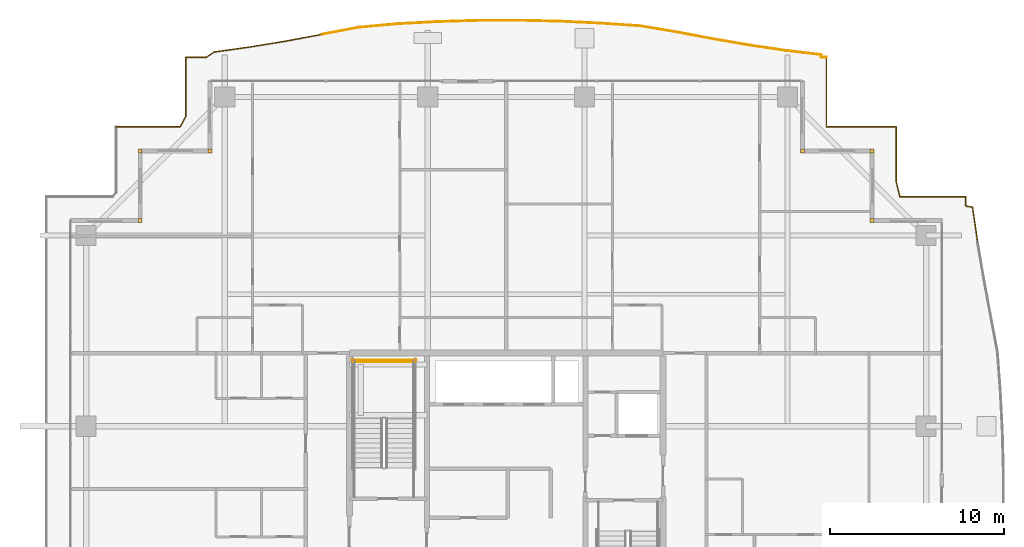
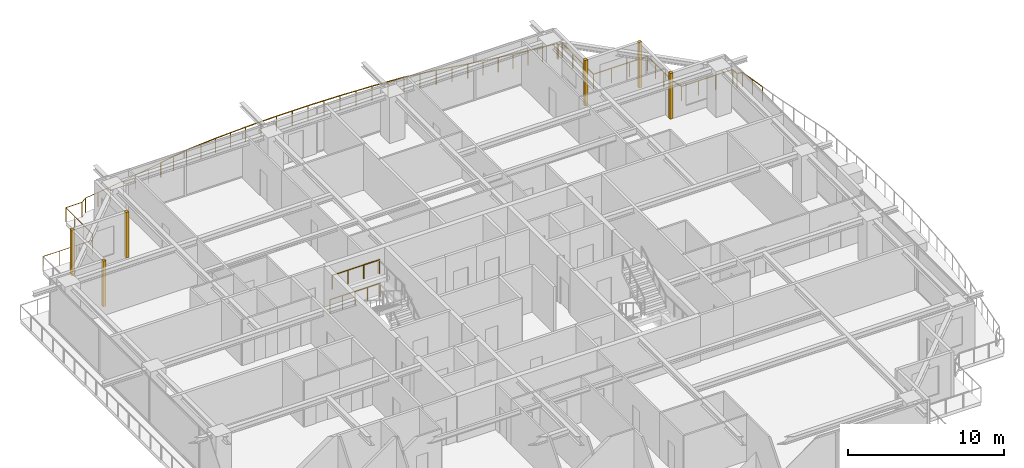
# One storey, part 37 of 37: 6 coverings, 6 railings.
"""IFC4 building model written with IfcOpenShell, lengths in metres."""

import ifcopenshell
import ifcopenshell.guid

model = None  # the IFC model being written
_history = None  # IfcOwnerHistory: only IFC2X3 demands one
_inside = {}  # id of a spatial element -> (the spatial element, [elements in it])
_under = {}  # id of a project, library or spatial element -> (it, [spatial elements below it])
_declared = {}  # id of a project -> (the project, [libraries it declares])
_typed = {}  # id of a type object -> (the type object, [elements of that type])
_made_of = {}  # id of a material, layer set ... -> (it, [elements and type objects made of it])


def new_model(schema):
    """Start an empty IFC model of exactly this schema.

    Asked for "IFC4X3", IfcOpenShell would pick the latest addendum, in which some entities
    have other attributes; the version numbers below select the first issue.
    IFC2X3 requires an IfcOwnerHistory on every rooted entity: one is made here for all.
    """
    global model, _history
    if schema == "IFC4X3":
        model = ifcopenshell.file(schema_version=(4, 3, 0, 0))
    else:
        model = ifcopenshell.file(schema=schema)
    _inside.clear()
    _under.clear()
    _declared.clear()
    _typed.clear()
    _made_of.clear()
    _history = None
    if model.schema == "IFC2X3":
        org = make("IfcOrganization", Name="unknown")
        user = make(
            "IfcPersonAndOrganization",
            ThePerson=make("IfcPerson", FamilyName="unknown"),
            TheOrganization=org,
        )
        app = make(
            "IfcApplication",
            ApplicationDeveloper=org,
            Version="unknown",
            ApplicationFullName="unknown",
            ApplicationIdentifier="unknown",
        )
        _history = make(
            "IfcOwnerHistory",
            OwningUser=user,
            OwningApplication=app,
            ChangeAction="ADDED",
            CreationDate=0,
        )
    return model


def make(cls, **values):
    """One entity of the class cls with the attributes given. An attribute that is None is left unset."""
    return model.create_entity(
        cls, **{name: value for name, value in values.items() if value is not None}
    )


def rooted(cls, **values):
    """An entity with a GlobalId (a new one), such as an element, a storey or a relation."""
    return make(cls, GlobalId=ifcopenshell.guid.new(), OwnerHistory=_history, **values)


def si_unit(unit_type, name, prefix=None):
    """IfcSIUnit, for example si_unit("LENGTHUNIT", "METRE", prefix="MILLI")."""
    return make("IfcSIUnit", UnitType=unit_type, Prefix=prefix, Name=name)


def assignment(units):
    """IfcUnitAssignment: the units of a project."""
    return None if units is None else make("IfcUnitAssignment", Units=units)


def point(xyz):
    """IfcCartesianPoint."""
    return None if xyz is None else make("IfcCartesianPoint", Coordinates=xyz)


def direction(xyz):
    """IfcDirection."""
    return None if xyz is None else make("IfcDirection", DirectionRatios=xyz)


def frame(location, z_axis=None, x_axis=None):
    """IfcAxis2Placement3D, a coordinate frame: its origin and axes. An axis left out is left unset."""
    return make(
        "IfcAxis2Placement3D",
        Location=point(location),
        Axis=direction(z_axis),
        RefDirection=direction(x_axis),
    )


def frame_2d(location, x_axis=None):
    """IfcAxis2Placement2D, a coordinate frame in the plane: its origin and x axis."""
    return make(
        "IfcAxis2Placement2D", Location=point(location), RefDirection=direction(x_axis)
    )


def origin():
    """The frame at (0, 0, 0) with its axes left unset."""
    return frame((0.0, 0.0, 0.0))


def origin_2d():
    """The frame at (0, 0) in the plane with its x axis left unset."""
    return frame_2d((0.0, 0.0))


def place(relative_to, where):
    """IfcLocalPlacement: puts the frame where relative to a parent placement (None: the world)."""
    return make(
        "IfcLocalPlacement", PlacementRelTo=relative_to, RelativePlacement=where
    )


def context(
    kind, dimensions, precision=None, world=None, true_north=None, identifier=None
):
    """IfcGeometricRepresentationContext, for example the 3D "Model" context."""
    return make(
        "IfcGeometricRepresentationContext",
        ContextIdentifier=identifier,
        ContextType=kind,
        CoordinateSpaceDimension=dimensions,
        Precision=precision,
        WorldCoordinateSystem=world,
        TrueNorth=true_north,
    )


def subcontext(parent, identifier, kind, view, scale=None):
    """IfcGeometricRepresentationSubContext, for example "Body" below "Model"."""
    return make(
        "IfcGeometricRepresentationSubContext",
        ContextIdentifier=identifier,
        ContextType=kind,
        ParentContext=parent,
        TargetScale=scale,
        TargetView=view,
    )


def project(units=None, contexts=None):
    """IfcProject with its units and contexts."""
    return rooted(
        "IfcProject",
        Name="project",
        RepresentationContexts=contexts,
        UnitsInContext=assignment(units),
    )


def spatial(cls, under=None, at=None, **own):
    """A site, building, storey or space (cls), placed at a placement, below another one or the project."""
    s = rooted(cls, ObjectPlacement=at, **own)
    if under is not None:
        _under.setdefault(under.id(), (under, []))[1].append(s)
    return s


def profile(cls, at=None, kind="AREA", **sizes):
    """A parametric profile (cls). Its sizes go by their IFC names, for example OverallWidth=200.0."""
    return make(cls, ProfileType=kind, Position=at, **sizes)


def rectangle(**sizes):
    """IfcRectangleProfileDef."""
    return profile("IfcRectangleProfileDef", **sizes)


def circle(**sizes):
    """IfcCircleProfileDef."""
    return profile("IfcCircleProfileDef", **sizes)


def extrude(swept, where, along, depth):
    """IfcExtrudedAreaSolid: the profile swept, set in the frame where, extruded along a direction by depth."""
    return make(
        "IfcExtrudedAreaSolid",
        SweptArea=swept,
        Position=where,
        ExtrudedDirection=direction(along),
        Depth=depth,
    )


def shape(context_of_items, identifier, shape_type, items):
    """IfcShapeRepresentation: the items that make up one representation, for example the "Body"."""
    return make(
        "IfcShapeRepresentation",
        ContextOfItems=context_of_items,
        RepresentationIdentifier=identifier,
        RepresentationType=shape_type,
        Items=items,
    )


def source(mapping_origin, context_of_items, identifier, shape_type, items):
    """IfcRepresentationMap: a shape defined once, which mapped items show again and again."""
    return make(
        "IfcRepresentationMap",
        MappingOrigin=mapping_origin,
        MappedRepresentation=shape(context_of_items, identifier, shape_type, items),
    )


def transform(
    local_origin,
    x_axis=None,
    y_axis=None,
    z_axis=None,
    scale=None,
    scale2=None,
    scale3=None,
    uniform=True,
):
    """IfcCartesianTransformationOperator3D, or its non-uniform kind. x_axis, y_axis, z_axis: its Axis1, 2, 3."""
    if uniform:
        return make(
            "IfcCartesianTransformationOperator3D",
            Axis1=direction(x_axis),
            Axis2=direction(y_axis),
            LocalOrigin=point(local_origin),
            Scale=scale,
            Axis3=direction(z_axis),
        )
    return make(
        "IfcCartesianTransformationOperator3DnonUniform",
        Axis1=direction(x_axis),
        Axis2=direction(y_axis),
        LocalOrigin=point(local_origin),
        Scale=scale,
        Axis3=direction(z_axis),
        Scale2=scale2,
        Scale3=scale3,
    )


def mapped(mapping_source, mapping_target):
    """IfcMappedItem: shows the shape of a source again, moved by a transform."""
    return make(
        "IfcMappedItem", MappingSource=mapping_source, MappingTarget=mapping_target
    )


def material(Name=None, Category=None):
    """IfcMaterial."""
    return make("IfcMaterial", Name=Name, Category=Category)


def layer(
    of_material, thickness, ventilated=None, Name=None, Category=None, Priority=None
):
    """IfcMaterialLayer: one layer of a wall or slab, of a material (None: an air gap)."""
    return make(
        "IfcMaterialLayer",
        Material=of_material,
        LayerThickness=thickness,
        IsVentilated=ventilated,
        Name=Name,
        Category=Category,
        Priority=Priority,
    )


def layer_set(layers, Name=None):
    """IfcMaterialLayerSet."""
    return make("IfcMaterialLayerSet", MaterialLayers=layers, LayerSetName=Name)


def made_of(thing, what):
    """Note that an element or type object is made of a material, layer set ...; save() writes the relation."""
    if what is not None:
        _made_of.setdefault(what.id(), (what, []))[1].append(thing)
    return thing


def type_object(cls, material=None, **own):
    """A type object (cls), such as IfcWallType, which elements share."""
    return made_of(rooted(cls, **own), material)


def element(
    cls,
    number,
    at=None,
    inside=None,
    cuts=None,
    type_object=None,
    material=None,
    context=None,
    identifier="Body",
    shape_type=None,
    held_by="IfcProductDefinitionShape",
    body=None,
    shapes=None,
    **own,
):
    """One element of the class cls, such as IfcWall. Its Tag is "e" and its number.

    at: its placement. inside: the storey or other place that contains it. cuts: it is an
    opening in that element (IfcRelVoidsElement). A single representation is given by context,
    identifier, shape_type and body (its items); several are given by shapes. held_by: the class
    of the entity that holds the representations. save() writes the other relations.
    """
    e = rooted(cls, Tag="e%d" % number, ObjectPlacement=at, **own)
    if body is not None:
        shapes = [shape(context, identifier, shape_type, body)]
    if shapes is not None:
        e.Representation = make(held_by, Representations=shapes)
    if inside is not None:
        _inside.setdefault(inside.id(), (inside, []))[1].append(e)
    if cuts is not None:
        rooted(
            "IfcRelVoidsElement", RelatingBuildingElement=cuts, RelatedOpeningElement=e
        )
    if type_object is not None:
        _typed.setdefault(type_object.id(), (type_object, []))[1].append(e)
    return made_of(e, material)


def aggregate(whole, parts):
    """IfcRelAggregates: a whole, such as a stair, and the parts it consists of."""
    return rooted("IfcRelAggregates", RelatingObject=whole, RelatedObjects=parts)


def save(model, path):
    """Write the relations noted so far, then the file.

    IfcRelAggregates (storeys below a building ...), IfcRelContainedInSpatialStructure (elements
    in a storey), IfcRelDefinesByType, IfcRelAssociatesMaterial and IfcRelDeclares: one each for
    every whole, place, type object, material and project.
    """
    for whole, parts in _under.values():
        aggregate(whole, parts)
    for where, things in _inside.values():
        rooted(
            "IfcRelContainedInSpatialStructure",
            RelatedElements=things,
            RelatingStructure=where,
        )
    for kind, things in _typed.values():
        rooted("IfcRelDefinesByType", RelatedObjects=things, RelatingType=kind)
    for what, things in _made_of.values():
        rooted("IfcRelAssociatesMaterial", RelatedObjects=things, RelatingMaterial=what)
    for by, libraries in _declared.values():
        rooted("IfcRelDeclares", RelatingContext=by, RelatedDefinitions=libraries)
    model.write(path)


model = new_model("IFC4")

# Units and contexts
model_context = context("Model", 3, precision=1e-05, world=origin(), true_north=direction((0.0, 1.0)))
body_context = subcontext(model_context, "Body", "Model", "MODEL_VIEW")
ifc_project = project(units=[si_unit("LENGTHUNIT", "METRE"), si_unit("AREAUNIT", "SQUARE_METRE"), si_unit("VOLUMEUNIT", "CUBIC_METRE"), si_unit("PLANEANGLEUNIT", "RADIAN"), si_unit("MASSUNIT", "GRAM", prefix="KILO")], contexts=[model_context])

# Site, building, storey
site_placement = place(None, origin())
site = spatial("IfcSite", under=ifc_project, at=site_placement, CompositionType="ELEMENT")
building_placement = place(site_placement, origin())
building = spatial("IfcBuilding", under=site, at=building_placement, Name="Serunith Strait Residences", CompositionType="ELEMENT")
storey_placement = place(building_placement, frame((0.0, 0.0, 233.550048828125)))
storey = spatial("IfcBuildingStorey", under=building, at=storey_placement, Name="L58", CompositionType="ELEMENT", Elevation=233.550048828125)

# Railings
ifc_material_1 = material(Name="Stainless Steel & Laminated Glass Balustrade", Category="steel")
railing_type_1 = type_object("IfcRailingType", Name="RLG-BALC-1150", PredefinedType="BALUSTRADE", material=ifc_material_1)
railing_1_placement = place(storey_placement, frame((10.02001953125, 46.580078125, -0.050048828125)))
element("IfcRailing", 1, at=railing_1_placement, inside=storey, type_object=railing_type_1, Name="L58 Swirling Balcony Perimeter Balustrade 1", PredefinedType="BALUSTRADE", context=body_context, shape_type="SweptSolid", body=[
    extrude(circle(Radius=0.02392578125, at=origin_2d()), frame((0.001953125, 0.0, 1.1259765625), z_axis=(1.0, 0.0, 0.0), x_axis=(0.0, 1.0, 0.0)), (0.0, 0.0, 1.0), 3.657958984375),
    extrude(circle(Radius=0.02392578125, at=origin_2d()), frame((3.662841796875, 0.001708984375, 1.1259765625), z_axis=(0.48371427395, 0.875225971494, 0.0), x_axis=(-0.875225971494, 0.48371427395, 0.0)), (0.0, 0.0, 1.0), 0.695068359375),
    extrude(circle(Radius=0.02392578125, at=origin_2d()), frame((4.0, 0.61376953125, 1.1259765625), z_axis=(0.0, 1.0, 0.0), x_axis=(-1.0, 0.0, 0.0)), (0.0, 0.0, 1.0), 3.38427734375),
    extrude(circle(Radius=0.02392578125, at=origin_2d()), frame((4.001953125, 4.0, 1.1259765625), z_axis=(1.0, 0.0, 0.0), x_axis=(0.0, 1.0, 0.0)), (0.0, 0.0, 1.0), 1.181884765625),
    extrude(circle(Radius=0.02392578125, at=origin_2d()), frame((5.1875, 4.001220703125, 1.1259765625), z_axis=(0.820867282576, 0.571118993203, 0.0), x_axis=(-0.571118993203, 0.820867282576, 0.0)), (0.0, 0.0, 1.0), 0.52099609375),
    extrude(circle(Radius=0.02392578125, at=origin_2d()), frame((5.61865234375, 4.300048828125, 1.1259765625), z_axis=(0.990579289419, 0.136940393511, 0.0), x_axis=(-0.136940393511, 0.990579289419, 0.0)), (0.0, 0.0, 1.0), 2.041015625),
    extrude(circle(Radius=0.02392578125, at=origin_2d()), frame((7.644287109375, 4.580078125, 1.1259765625), z_axis=(0.986669408289, 0.162737453426, 0.0), x_axis=(-0.162737453426, 0.986669408289, 0.0)), (0.0, 0.0, 1.0), 2.0693359375),
    extrude(circle(Radius=0.02392578125, at=origin_2d()), frame((9.68994140625, 4.91748046875, 1.1259765625), z_axis=(0.983334680157, 0.181804584099, 0.0), x_axis=(-0.181804584099, 0.983334680157, 0.0)), (0.0, 0.0, 1.0), 2.114990234375),
    extrude(circle(Radius=0.02099609375, at=origin_2d()), origin(), (0.0, 0.0, 1.0), 1.099853515625),
    extrude(circle(Radius=0.02099609375, at=origin_2d()), frame((1.220703125, 0.0, 0.0)), (0.0, 0.0, 1.0), 1.099853515625),
    extrude(circle(Radius=0.02099609375, at=origin_2d()), frame((2.441162109375, 0.0, 0.0)), (0.0, 0.0, 1.0), 1.099853515625),
    extrude(circle(Radius=0.02099609375, at=origin_2d()), frame((3.661865234375, 0.0, 0.0)), (0.0, 0.0, 1.0), 1.099853515625),
    extrude(circle(Radius=0.02099609375, at=origin_2d()), frame((4.0, 0.61181640625, 0.0)), (0.0, 0.0, 1.0), 1.099853515625),
    extrude(circle(Radius=0.02099609375, at=origin_2d()), frame((4.0, 1.7412109375, 0.0)), (0.0, 0.0, 1.0), 1.099853515625),
    extrude(circle(Radius=0.02099609375, at=origin_2d()), frame((4.0, 2.87060546875, 0.0)), (0.0, 0.0, 1.0), 1.099853515625),
    extrude(circle(Radius=0.02099609375, at=origin_2d()), frame((4.0, 4.0, 0.0)), (0.0, 0.0, 1.0), 1.099853515625),
    extrude(circle(Radius=0.02099609375, at=origin_2d()), frame((5.185791015625, 4.0, 0.0)), (0.0, 0.0, 1.0), 1.099853515625),
    extrude(circle(Radius=0.02099609375, at=origin_2d()), frame((5.61669921875, 4.2998046875, 0.0)), (0.0, 0.0, 1.0), 1.099853515625),
    extrude(circle(Radius=0.02099609375, at=origin_2d()), frame((6.62939453125, 4.43994140625, 0.0)), (0.0, 0.0, 1.0), 1.099853515625),
    extrude(circle(Radius=0.02099609375, at=origin_2d()), frame((7.642333984375, 4.579833984375, 0.0)), (0.0, 0.0, 1.0), 1.099853515625),
    extrude(circle(Radius=0.02099609375, at=origin_2d()), frame((8.6650390625, 4.74853515625, 0.0)), (0.0, 0.0, 1.0), 1.099853515625),
    extrude(circle(Radius=0.02099609375, at=origin_2d()), frame((9.68798828125, 4.917236328125, 0.0)), (0.0, 0.0, 1.0), 1.099853515625),
    extrude(circle(Radius=0.02099609375, at=origin_2d()), frame((10.72998046875, 5.10986328125, 0.0)), (0.0, 0.0, 1.0), 1.099853515625),
    extrude(circle(Radius=0.02099609375, at=origin_2d()), frame((11.771728515625, 5.302490234375, 0.0)), (0.0, 0.0, 1.0), 1.099853515625),
])
railing_2_placement = place(storey_placement, frame((21.791748046875, 51.882568359375, -0.050048828125)))
element("IfcRailing", 2, at=railing_2_placement, inside=storey, type_object=railing_type_1, Name="L58 Swirling Balcony Perimeter Balustrade 2", PredefinedType="BALUSTRADE", context=body_context, shape_type="SweptSolid", body=[
    extrude(circle(Radius=0.02392578125, at=origin_2d()), frame((0.001953125, 0.00048828125, 1.1259765625), z_axis=(0.982326806471, 0.187173837085, 0.0), x_axis=(-0.187173837085, 0.982326806471, 0.0)), (0.0, 0.0, 1.0), 2.1767578125),
    extrude(circle(Radius=0.02392578125, at=origin_2d()), frame((2.144287109375, 0.408447265625, 1.1259765625), z_axis=(0.995999295253, 0.089361086916, 0.0), x_axis=(-0.089361086916, 0.995999295253, 0.0)), (0.0, 0.0, 1.0), 2.263671875),
    extrude(circle(Radius=0.02392578125, at=origin_2d()), frame((4.40283203125, 0.61083984375, 1.1259765625), z_axis=(0.998611392933, 0.052680982381, 0.0), x_axis=(-0.052680982381, 0.998611392933, 0.0)), (0.0, 0.0, 1.0), 2.303955078125),
    extrude(circle(Radius=0.02392578125, at=origin_2d()), frame((6.70751953125, 0.732421875, 1.1259765625), z_axis=(0.99957533116, 0.029140304327, 0.0), x_axis=(-0.029140304327, 0.99957533116, 0.0)), (0.0, 0.0, 1.0), 2.3251953125),
    extrude(circle(Radius=0.02392578125, at=origin_2d()), frame((9.03564453125, 0.80029296875, 1.1259765625), z_axis=(0.999995415373, 0.003028074245, 0.0), x_axis=(-0.003028074245, 0.999995415373, 0.0)), (0.0, 0.0, 1.0), 2.334228515625),
    extrude(circle(Radius=0.02392578125, at=origin_2d()), frame((11.373779296875, 0.807373046875, 1.1259765625), z_axis=(0.999732570178, -0.023125486499, 0.0), x_axis=(0.023125486499, 0.999732570178, 0.0)), (0.0, 0.0, 1.0), 2.3291015625),
    extrude(circle(Radius=0.02392578125, at=origin_2d()), frame((13.706298828125, 0.75341796875, 1.1259765625), z_axis=(0.998878137306, -0.047354691548, 0.0), x_axis=(0.047354691548, 0.998878137306, 0.0)), (0.0, 0.0, 1.0), 2.310791015625),
    extrude(circle(Radius=0.02392578125, at=origin_2d()), frame((16.0185546875, 0.6435546875, 1.1259765625), z_axis=(0.997705057713, -0.067709805886, 0.0), x_axis=(0.067709805886, 0.997705057713, 0.0)), (0.0, 0.0, 1.0), 2.281982421875),
    extrude(circle(Radius=0.02099609375, at=origin_2d()), origin(), (0.0, 0.0, 1.0), 1.099853515625),
    extrude(circle(Radius=0.02099609375, at=origin_2d()), frame((1.0712890625, 0.2041015625, 0.0)), (0.0, 0.0, 1.0), 1.099853515625),
    extrude(circle(Radius=0.02099609375, at=origin_2d()), frame((2.142333984375, 0.408203125, 0.0)), (0.0, 0.0, 1.0), 1.099853515625),
    extrude(circle(Radius=0.02099609375, at=origin_2d()), frame((3.271484375, 0.509521484375, 0.0)), (0.0, 0.0, 1.0), 1.099853515625),
    extrude(circle(Radius=0.02099609375, at=origin_2d()), frame((4.40087890625, 0.61083984375, 0.0)), (0.0, 0.0, 1.0), 1.099853515625),
    extrude(circle(Radius=0.02099609375, at=origin_2d()), frame((5.55322265625, 0.671630859375, 0.0)), (0.0, 0.0, 1.0), 1.099853515625),
    extrude(circle(Radius=0.02099609375, at=origin_2d()), frame((6.70556640625, 0.732421875, 0.0)), (0.0, 0.0, 1.0), 1.099853515625),
    extrude(circle(Radius=0.02099609375, at=origin_2d()), frame((7.86962890625, 0.766357421875, 0.0)), (0.0, 0.0, 1.0), 1.099853515625),
    extrude(circle(Radius=0.02099609375, at=origin_2d()), frame((9.03369140625, 0.80029296875, 0.0)), (0.0, 0.0, 1.0), 1.099853515625),
    extrude(circle(Radius=0.02099609375, at=origin_2d()), frame((10.20263671875, 0.8037109375, 0.0)), (0.0, 0.0, 1.0), 1.099853515625),
    extrude(circle(Radius=0.02099609375, at=origin_2d()), frame((11.371826171875, 0.807373046875, 0.0)), (0.0, 0.0, 1.0), 1.099853515625),
    extrude(circle(Radius=0.02099609375, at=origin_2d()), frame((12.5380859375, 0.7802734375, 0.0)), (0.0, 0.0, 1.0), 1.099853515625),
    extrude(circle(Radius=0.02099609375, at=origin_2d()), frame((13.704345703125, 0.75341796875, 0.0)), (0.0, 0.0, 1.0), 1.099853515625),
    extrude(circle(Radius=0.02099609375, at=origin_2d()), frame((14.8603515625, 0.69873046875, 0.0)), (0.0, 0.0, 1.0), 1.099853515625),
    extrude(circle(Radius=0.02099609375, at=origin_2d()), frame((16.0166015625, 0.643798828125, 0.0)), (0.0, 0.0, 1.0), 1.099853515625),
    extrude(circle(Radius=0.02099609375, at=origin_2d()), frame((17.156982421875, 0.56640625, 0.0)), (0.0, 0.0, 1.0), 1.099853515625),
    extrude(circle(Radius=0.02099609375, at=origin_2d()), frame((18.29736328125, 0.489013671875, 0.0)), (0.0, 0.0, 1.0), 1.099853515625),
])
railing_3_placement = place(storey_placement, frame((40.089111328125, 52.37158203125, -0.050048828125)))
element("IfcRailing", 3, at=railing_3_placement, inside=storey, type_object=railing_type_1, Name="L58 Swirling Balcony Perimeter Balustrade 3", PredefinedType="BALUSTRADE", context=body_context, shape_type="SweptSolid", body=[
    extrude(circle(Radius=0.02392578125, at=origin_2d()), frame((0.001953125, -0.000244140625, 1.1259765625), z_axis=(0.986102407583, -0.166138622119, 0.0), x_axis=(0.166138622119, 0.986102407583, 0.0)), (0.0, 0.0, 1.0), 2.203125),
    extrude(circle(Radius=0.02392578125, at=origin_2d()), frame((2.178466796875, -0.3671875, 1.1259765625), z_axis=(0.982760829699, -0.184881452856, 0.0), x_axis=(0.184881452856, 0.982760829699, 0.0)), (0.0, 0.0, 1.0), 2.134033203125),
    extrude(circle(Radius=0.02392578125, at=origin_2d()), frame((4.279541015625, -0.76220703125, 1.1259765625), z_axis=(0.985546449264, -0.169405420054, 0.0), x_axis=(0.169405420054, 0.985546449264, 0.0)), (0.0, 0.0, 1.0), 2.082763671875),
    extrude(circle(Radius=0.02392578125, at=origin_2d()), frame((6.336181640625, -1.11572265625, 1.1259765625), z_axis=(0.989453582401, -0.144850296077, 0.0), x_axis=(0.144850296077, 0.989453582401, 0.0)), (0.0, 0.0, 1.0), 2.048828125),
    extrude(circle(Radius=0.02392578125, at=origin_2d()), frame((8.367431640625, -1.4130859375, 1.1259765625), z_axis=(0.993009045237, -0.118038282256, 0.0), x_axis=(0.118038282256, 0.993009045237, 0.0)), (0.0, 0.0, 1.0), 2.03125),
    extrude(circle(Radius=0.02392578125, at=origin_2d()), frame((10.386474609375, -1.655029296875, 1.1259765625), z_axis=(-0.007054498178, -0.999975116718, 0.0), x_axis=(0.999975116718, -0.007054498178, 0.0)), (0.0, 0.0, 1.0), 0.134521484375),
    extrude(circle(Radius=0.02392578125, at=origin_2d()), frame((10.387451171875, -1.79150390625, 1.1259765625), z_axis=(1.0, 0.0, 0.0), x_axis=(0.0, 1.0, 0.0)), (0.0, 0.0, 1.0), 0.301513671875),
    extrude(circle(Radius=0.02099609375, at=origin_2d()), origin(), (0.0, 0.0, 1.0), 1.099853515625),
    extrude(circle(Radius=0.02099609375, at=origin_2d()), frame((1.08837890625, -0.183349609375, 0.0)), (0.0, 0.0, 1.0), 1.099853515625),
    extrude(circle(Radius=0.02099609375, at=origin_2d()), frame((2.176513671875, -0.36669921875, 0.0)), (0.0, 0.0, 1.0), 1.099853515625),
    extrude(circle(Radius=0.02099609375, at=origin_2d()), frame((3.22705078125, -0.564453125, 0.0)), (0.0, 0.0, 1.0), 1.099853515625),
    extrude(circle(Radius=0.02099609375, at=origin_2d()), frame((4.277587890625, -0.761962890625, 0.0)), (0.0, 0.0, 1.0), 1.099853515625),
    extrude(circle(Radius=0.02099609375, at=origin_2d()), frame((5.305908203125, -0.938720703125, 0.0)), (0.0, 0.0, 1.0), 1.099853515625),
    extrude(circle(Radius=0.02099609375, at=origin_2d()), frame((6.334228515625, -1.115478515625, 0.0)), (0.0, 0.0, 1.0), 1.099853515625),
    extrude(circle(Radius=0.02099609375, at=origin_2d()), frame((7.349853515625, -1.26416015625, 0.0)), (0.0, 0.0, 1.0), 1.099853515625),
    extrude(circle(Radius=0.02099609375, at=origin_2d()), frame((8.365478515625, -1.412841796875, 0.0)), (0.0, 0.0, 1.0), 1.099853515625),
    extrude(circle(Radius=0.02099609375, at=origin_2d()), frame((9.3759765625, -1.532958984375, 0.0)), (0.0, 0.0, 1.0), 1.099853515625),
    extrude(circle(Radius=0.02099609375, at=origin_2d()), frame((10.386474609375, -1.653076171875, 0.0)), (0.0, 0.0, 1.0), 1.099853515625),
    extrude(circle(Radius=0.02099609375, at=origin_2d()), frame((10.385498046875, -1.79150390625, 0.0)), (0.0, 0.0, 1.0), 1.099853515625),
    extrude(circle(Radius=0.02099609375, at=origin_2d()), frame((10.69091796875, -1.79150390625, 0.0)), (0.0, 0.0, 1.0), 1.099853515625),
])
railing_4_placement = place(storey_placement, frame((50.780029296875, 50.580078125, -0.050048828125)))
element("IfcRailing", 4, at=railing_4_placement, inside=storey, type_object=railing_type_1, Name="L58 Swirling Balcony Perimeter Balustrade 4", PredefinedType="BALUSTRADE", context=body_context, shape_type="SweptSolid", body=[
    extrude(circle(Radius=0.02392578125, at=origin_2d()), frame((0.0, -0.001953125, 1.1259765625), z_axis=(0.0, -1.0, 0.0), x_axis=(1.0, 0.0, 0.0)), (0.0, 0.0, 1.0), 3.99609375),
    extrude(circle(Radius=0.02392578125, at=origin_2d()), frame((0.001953125, -4.0, 1.1259765625), z_axis=(1.0, 0.0, 0.0), x_axis=(0.0, 1.0, 0.0)), (0.0, 0.0, 1.0), 3.99609375),
    extrude(circle(Radius=0.02392578125, at=origin_2d()), frame((4.0, -4.001953125, 1.1259765625), z_axis=(0.0, -1.0, 0.0), x_axis=(1.0, 0.0, 0.0)), (0.0, 0.0, 1.0), 3.116943359375),
    extrude(circle(Radius=0.02392578125, at=origin_2d()), frame((4.00048828125, -7.122802734375, 1.1259765625), z_axis=(0.23967992106, -0.97085196371, 0.0), x_axis=(0.97085196371, 0.23967992106, 0.0)), (0.0, 0.0, 1.0), 0.901611328125),
    extrude(circle(Radius=0.02392578125, at=origin_2d()), frame((4.218994140625, -8.0, 1.1259765625), z_axis=(1.0, 0.0, 0.0), x_axis=(0.0, 1.0, 0.0)), (0.0, 0.0, 1.0), 3.779052734375),
    extrude(circle(Radius=0.02392578125, at=origin_2d()), frame((8.0, -8.001953125, 1.1259765625), z_axis=(0.0, -1.0, 0.0), x_axis=(1.0, 0.0, 0.0)), (0.0, 0.0, 1.0), 0.536376953125),
    extrude(circle(Radius=0.02392578125, at=origin_2d()), frame((8.001953125, -8.54052734375, 1.1259765625), z_axis=(0.98629314835, -0.165002501548, 0.0), x_axis=(0.165002501548, 0.98629314835, 0.0)), (0.0, 0.0, 1.0), 0.3896484375),
    extrude(circle(Radius=0.02392578125, at=origin_2d()), frame((8.388427734375, -8.607177734375, 1.1259765625), z_axis=(0.142572810177, -0.989784316808, 0.0), x_axis=(0.989784316808, 0.142572810177, 0.0)), (0.0, 0.0, 1.0), 2.0439453125),
    extrude(circle(Radius=0.02099609375, at=origin_2d()), origin(), (0.0, 0.0, 1.0), 1.099853515625),
    extrude(circle(Radius=0.02099609375, at=origin_2d()), frame((0.0, -1.333251953125, 0.0)), (0.0, 0.0, 1.0), 1.099853515625),
    extrude(circle(Radius=0.02099609375, at=origin_2d()), frame((0.0, -2.666748046875, 0.0)), (0.0, 0.0, 1.0), 1.099853515625),
    extrude(circle(Radius=0.02099609375, at=origin_2d()), frame((0.0, -4.0, 0.0)), (0.0, 0.0, 1.0), 1.099853515625),
    extrude(circle(Radius=0.02099609375, at=origin_2d()), frame((1.333251953125, -4.0, 0.0)), (0.0, 0.0, 1.0), 1.099853515625),
    extrude(circle(Radius=0.02099609375, at=origin_2d()), frame((2.666748046875, -4.0, 0.0)), (0.0, 0.0, 1.0), 1.099853515625),
    extrude(circle(Radius=0.02099609375, at=origin_2d()), frame((4.0, -4.0, 0.0)), (0.0, 0.0, 1.0), 1.099853515625),
    extrude(circle(Radius=0.02099609375, at=origin_2d()), frame((4.0, -5.040283203125, 0.0)), (0.0, 0.0, 1.0), 1.099853515625),
    extrude(circle(Radius=0.02099609375, at=origin_2d()), frame((4.0, -6.08056640625, 0.0)), (0.0, 0.0, 1.0), 1.099853515625),
    extrude(circle(Radius=0.02099609375, at=origin_2d()), frame((4.0, -7.120849609375, 0.0)), (0.0, 0.0, 1.0), 1.099853515625),
    extrude(circle(Radius=0.02099609375, at=origin_2d()), frame((4.217041015625, -8.0, 0.0)), (0.0, 0.0, 1.0), 1.099853515625),
    extrude(circle(Radius=0.02099609375, at=origin_2d()), frame((5.47802734375, -8.0, 0.0)), (0.0, 0.0, 1.0), 1.099853515625),
    extrude(circle(Radius=0.02099609375, at=origin_2d()), frame((6.739013671875, -8.0, 0.0)), (0.0, 0.0, 1.0), 1.099853515625),
    extrude(circle(Radius=0.02099609375, at=origin_2d()), frame((8.0, -8.0, 0.0)), (0.0, 0.0, 1.0), 1.099853515625),
    extrude(circle(Radius=0.02099609375, at=origin_2d()), frame((8.0, -8.540283203125, 0.0)), (0.0, 0.0, 1.0), 1.099853515625),
    extrude(circle(Radius=0.02099609375, at=origin_2d()), frame((8.38818359375, -8.605224609375, 0.0)), (0.0, 0.0, 1.0), 1.099853515625),
    extrude(circle(Radius=0.02099609375, at=origin_2d()), frame((8.5341796875, -9.61865234375, 0.0)), (0.0, 0.0, 1.0), 1.099853515625),
    extrude(circle(Radius=0.02099609375, at=origin_2d()), frame((8.68017578125, -10.63232421875, 0.0)), (0.0, 0.0, 1.0), 1.099853515625),
])
ifc_material_2 = material(Name="Brushed stainless steel 316L", Category="steel")
railing_type_2 = type_object("IfcRailingType", Name="RLG-STAIR-GUARD", PredefinedType="BALUSTRADE", material=ifc_material_2)
railing_5_placement = place(storey_placement, frame((27.14990234375, 33.10009765625, 1.925048828125)))
element("IfcRailing", 5, at=railing_5_placement, inside=storey, type_object=railing_type_2, Name="L58 ST-1 stair guard 5", PredefinedType="BALUSTRADE", context=body_context, shape_type="SweptSolid", body=[
    extrude(circle(Radius=0.02392578125, at=origin_2d()), frame((-0.001953125, 0.0, 1.076171875), z_axis=(-1.0, 0.0, 0.0), x_axis=(0.0, -1.0, 0.0)), (0.0, 0.0, 1.0), 3.49609375),
    extrude(circle(Radius=0.02099609375, at=origin_2d()), origin(), (0.0, 0.0, 1.0), 1.050048828125),
    extrude(circle(Radius=0.02099609375, at=origin_2d()), frame((-1.166748046875, 0.0, 0.0)), (0.0, 0.0, 1.0), 1.050048828125),
    extrude(circle(Radius=0.02099609375, at=origin_2d()), frame((-2.333251953125, 0.0, 0.0)), (0.0, 0.0, 1.0), 1.050048828125),
    extrude(circle(Radius=0.02099609375, at=origin_2d()), frame((-3.5, 0.0, 0.0)), (0.0, 0.0, 1.0), 1.050048828125),
])
railing_6_placement = place(storey_placement, frame((27.25, 33.199951171875, 0.0)))
element("IfcRailing", 6, at=railing_6_placement, inside=storey, type_object=railing_type_2, Name="L58 ST-1 stair guard 12", PredefinedType="BALUSTRADE", context=body_context, shape_type="SweptSolid", body=[
    extrude(circle(Radius=0.02392578125, at=origin_2d()), frame((-0.001953125, 0.0, 1.076171875), z_axis=(-1.0, 0.0, 0.0), x_axis=(0.0, -1.0, 0.0)), (0.0, 0.0, 1.0), 3.696044921875),
    extrude(circle(Radius=0.02099609375, at=origin_2d()), origin(), (0.0, 0.0, 1.0), 1.050048828125),
    extrude(circle(Radius=0.02099609375, at=origin_2d()), frame((-0.925048828125, 0.0, 0.0)), (0.0, 0.0, 1.0), 1.050048828125),
    extrude(circle(Radius=0.02099609375, at=origin_2d()), frame((-1.85009765625, 0.0, 0.0)), (0.0, 0.0, 1.0), 1.050048828125),
    extrude(circle(Radius=0.02099609375, at=origin_2d()), frame((-2.77490234375, 0.0, 0.0)), (0.0, 0.0, 1.0), 1.050048828125),
    extrude(circle(Radius=0.02099609375, at=origin_2d()), frame((-3.699951171875, 0.0, 0.0)), (0.0, 0.0, 1.0), 1.050048828125),
])

# Coverings
ifc_material_3 = material(Name="Pale-Champagne Anodised Aluminium", Category="aluminium")
ifc_layer = layer(ifc_material_3, 0.219970703125, Name="Pale-Champagne Anodised Aluminium")
ifc_layer_set = layer_set([ifc_layer], Name="Pale-Champagne Anodised Aluminium")
covering_type = type_object("IfcCoveringType", Name="COV-CORN-TRIM", PredefinedType="CLADDING", material=ifc_layer_set)
shared_shape = source(origin(), body_context, "Body", "SweptSolid", [
    extrude(rectangle(XDim=0.221923828125, YDim=0.221923828125, at=origin_2d()), origin(), (0.0, 0.0, 1.0), 3.574951171875),
])
for number, where, z_axis, x_axis, name in (
    (7, (53.39990234375, 41.199951171875, 0.0), (0.0, 0.0, 1.0), (1.0, 0.0, 0.0), "L58 Girih Serrated Corner Trim Post 07"),
    (8, (53.39990234375, 45.199951171875, 0.0), (0.0, 0.0, 1.0), (1.0, 0.0, 0.0), "L58 Girih Serrated Corner Trim Post 08"),
    (9, (49.39990234375, 45.199951171875, 0.0), (0.0, 0.0, 1.0), (1.0, 0.0, 0.0), "L58 Girih Serrated Corner Trim Post 09"),
    (10, (15.39990234375, 45.199951171875, 0.0), (0.0, 0.0, 1.0), (1.0, 0.0, 0.0), "L58 Girih Serrated Corner Trim Post 12"),
    (11, (11.39990234375, 45.199951171875, 0.0), (0.0, 0.0, 1.0), (1.0, 0.0, 0.0), "L58 Girih Serrated Corner Trim Post 13"),
    (12, (11.39990234375, 41.199951171875, 0.0), (0.0, 0.0, 1.0), (1.0, 0.0, 0.0), "L58 Girih Serrated Corner Trim Post 14"),
):
    element("IfcCovering", number, at=place(storey_placement, frame(where, z_axis=z_axis, x_axis=x_axis)), inside=storey, type_object=covering_type, Name=name, PredefinedType="CLADDING", context=body_context, shape_type="MappedRepresentation", body=[
        mapped(shared_shape, transform((0.0, 0.0, 0.0), scale=1.0)),
    ])

save(model, "model.ifc")
